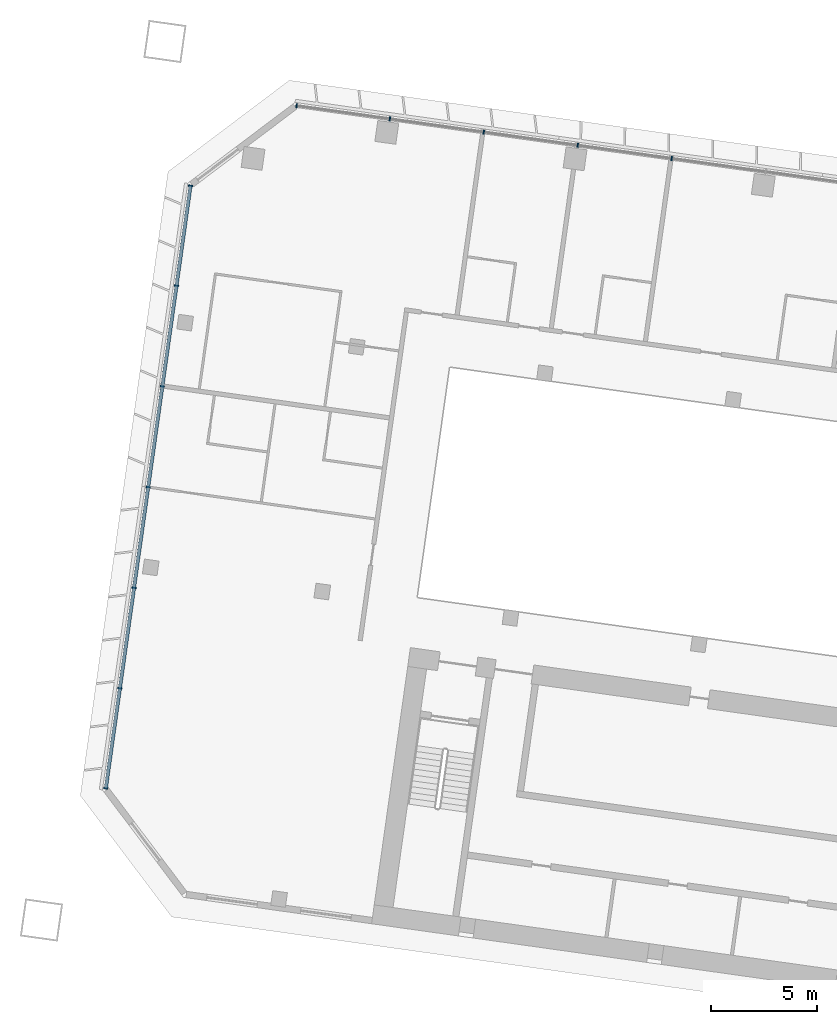
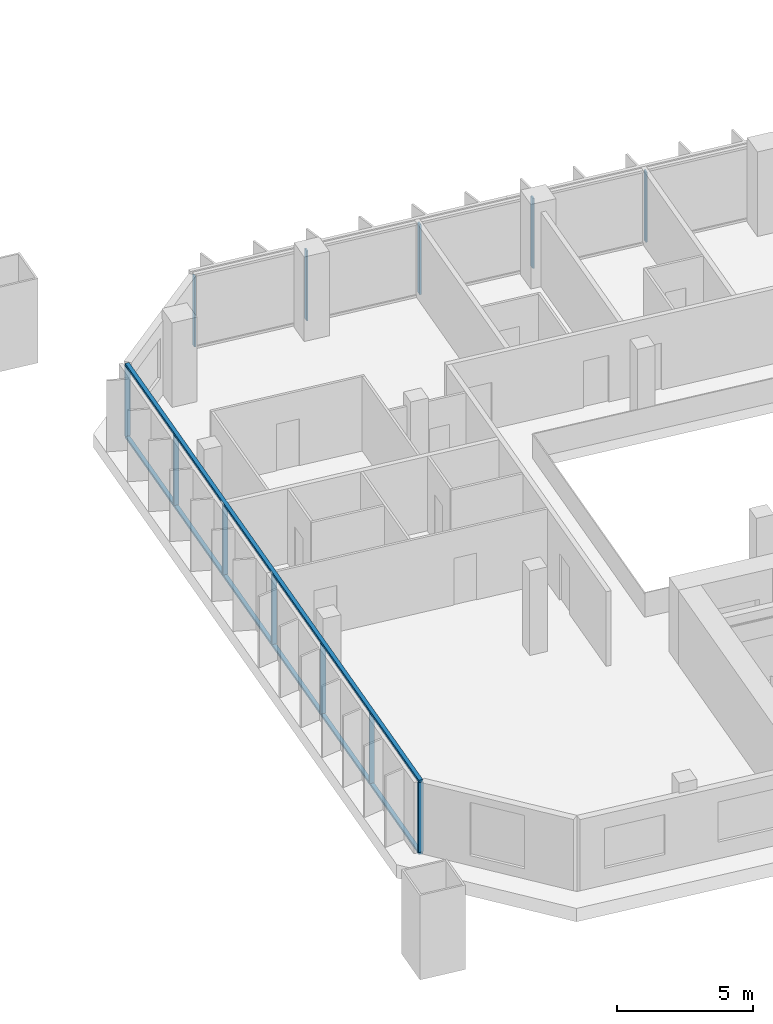
# One storey, part 2 of 24: 14 members, 2 elements without a shape of their own.
"""IFC4 building model written with IfcOpenShell, lengths in metres."""

from ifc_helpers import new_model, si_unit, direction, frame, origin, origin_2d, place, context, subcontext, project, spatial, rectangle, extrude, material, material_profile, profile_set, type_object, element, aggregate, save


model = new_model("IFC4")

# Units and contexts
model_context = context("Model", 3, precision=1e-05, world=origin(), true_north=direction((0.0, 1.0)))
body_context = subcontext(model_context, "Body", "Model", "MODEL_VIEW")
ifc_project = project(units=[si_unit("LENGTHUNIT", "METRE"), si_unit("AREAUNIT", "SQUARE_METRE"), si_unit("VOLUMEUNIT", "CUBIC_METRE"), si_unit("PLANEANGLEUNIT", "RADIAN"), si_unit("MASSUNIT", "GRAM", prefix="KILO")], contexts=[model_context])

# Site, building, storey
site_placement = place(None, origin())
site = spatial("IfcSite", under=ifc_project, at=site_placement, CompositionType="ELEMENT")
building_placement = place(site_placement, origin())
building = spatial("IfcBuilding", under=site, at=building_placement, Name="Mirante Cascada Hotel Towers", CompositionType="ELEMENT")
storey_placement = place(building_placement, frame((0.0, 0.0, 85.1)))
storey = spatial("IfcBuildingStorey", under=building, at=storey_placement, Name="L18", CompositionType="ELEMENT", Elevation=85.1)

# Curtain wall, members
ifc_material_1 = material(Name="Aluminium mullion and transom frame with clear laminated glass", Category="aluminium")
curtain_wall_type_1 = type_object("IfcCurtainWallType", Name="Ribbon curtain wall ECW1", PredefinedType="NOTDEFINED", material=ifc_material_1)
curtain_wall_1_placement = place(storey_placement, origin())
curtain_wall_1 = element("IfcCurtainWall", 1, at=curtain_wall_1_placement, inside=storey, type_object=curtain_wall_type_1, Name="Front ribbon wall T1 L18", PredefinedType="NOTDEFINED")
ifc_material_2 = material(Name="Anodised aluminium extrusion", Category="aluminium")
ifc_material_profile_1 = material_profile(ifc_material_2, rectangle(XDim=0.2, YDim=0.065, at=origin_2d()), Name="ECW1 MULLION 65x200")
ifc_profile_set_1 = profile_set([ifc_material_profile_1], Name="Anodised aluminium extrusion")
member_type_1 = type_object("IfcMemberType", Name="ECW1 mullion 65x200", PredefinedType="MULLION", material=ifc_profile_set_1)
member_1_placement = place(storey_placement, frame((-94.126, 26.0476, 0.1), z_axis=(0.0, 0.0, 1.0), x_axis=(0.1391731, 0.9902681, 0.0)))
member_1 = element("IfcMember", 2, at=member_1_placement, type_object=member_type_1, Name="ECW1 mullion 1", PredefinedType="MULLION", context=body_context, shape_type="SweptSolid", body=[
    extrude(rectangle(XDim=0.2, YDim=0.065, at=origin_2d()), origin(), (0.0, 0.0, 1.0), 3.15),
])
member_2_placement = place(storey_placement, frame((-89.7107, 25.427, 0.1), z_axis=(0.0, 0.0, 1.0), x_axis=(0.1391731, 0.9902681, 0.0)))
member_2 = element("IfcMember", 3, at=member_2_placement, type_object=member_type_1, Name="ECW1 mullion 2", PredefinedType="MULLION", context=body_context, shape_type="SweptSolid", body=[
    extrude(rectangle(XDim=0.2, YDim=0.065, at=origin_2d()), origin(), (0.0, 0.0, 1.0), 3.15),
])
member_3_placement = place(storey_placement, frame((-85.2633, 24.802, 0.1), z_axis=(0.0, 0.0, 1.0), x_axis=(0.1391731, 0.9902681, 0.0)))
member_3 = element("IfcMember", 4, at=member_3_placement, type_object=member_type_1, Name="ECW1 mullion 3", PredefinedType="MULLION", context=body_context, shape_type="SweptSolid", body=[
    extrude(rectangle(XDim=0.2, YDim=0.065, at=origin_2d()), origin(), (0.0, 0.0, 1.0), 3.15),
])
member_4_placement = place(storey_placement, frame((-80.8159, 24.177, 0.1), z_axis=(0.0, 0.0, 1.0), x_axis=(0.1391731, 0.9902681, 0.0)))
member_4 = element("IfcMember", 5, at=member_4_placement, type_object=member_type_1, Name="ECW1 mullion 4", PredefinedType="MULLION", context=body_context, shape_type="SweptSolid", body=[
    extrude(rectangle(XDim=0.2, YDim=0.065, at=origin_2d()), origin(), (0.0, 0.0, 1.0), 3.15),
])
member_5_placement = place(storey_placement, frame((-76.3685, 23.5519, 0.1), z_axis=(0.0, 0.0, 1.0), x_axis=(0.1391731, 0.9902681, 0.0)))
member_5 = element("IfcMember", 6, at=member_5_placement, type_object=member_type_1, Name="ECW1 mullion 5", PredefinedType="MULLION", context=body_context, shape_type="SweptSolid", body=[
    extrude(rectangle(XDim=0.2, YDim=0.065, at=origin_2d()), origin(), (0.0, 0.0, 1.0), 3.15),
])
aggregate(curtain_wall_1, [member_1, member_2, member_3, member_4, member_5])

ifc_material_3 = material(Name="Aluminium mullion and transom frame with clear laminated glass", Category="aluminium")
curtain_wall_type_2 = type_object("IfcCurtainWallType", Name="End ribbon curtain wall ECW2", PredefinedType="NOTDEFINED", material=ifc_material_3)
curtain_wall_2_placement = place(storey_placement, origin())
curtain_wall_2 = element("IfcCurtainWall", 7, at=curtain_wall_2_placement, inside=storey, type_object=curtain_wall_type_2, Name="Outer end wall T1 L18", PredefinedType="NOTDEFINED")
ifc_material_4 = material(Name="Anodised aluminium extrusion", Category="aluminium")
ifc_material_profile_2 = material_profile(ifc_material_4, rectangle(XDim=0.2, YDim=0.065, at=origin_2d()), Name="ECW2 MULLION 65x200")
ifc_profile_set_2 = profile_set([ifc_material_profile_2], Name="Anodised aluminium extrusion")
member_type_2 = type_object("IfcMemberType", Name="ECW2 mullion 65x200", PredefinedType="MULLION", material=ifc_profile_set_2)
member_6_placement = place(storey_placement, frame((-103.1556, -6.2656, 0.1), z_axis=(0.0, 0.0, 1.0), x_axis=(-0.9902681, 0.1391731, 0.0)))
member_6 = element("IfcMember", 8, at=member_6_placement, type_object=member_type_2, Name="ECW2 mullion 1", PredefinedType="MULLION", context=body_context, shape_type="SweptSolid", body=[
    extrude(rectangle(XDim=0.2, YDim=0.065, at=origin_2d()), origin(), (0.0, 0.0, 1.0), 3.15),
])
member_7_placement = place(storey_placement, frame((-102.4903, -1.532, 0.1), z_axis=(0.0, 0.0, 1.0), x_axis=(-0.9902681, 0.1391731, 0.0)))
member_7 = element("IfcMember", 9, at=member_7_placement, type_object=member_type_2, Name="ECW2 mullion 2", PredefinedType="MULLION", context=body_context, shape_type="SweptSolid", body=[
    extrude(rectangle(XDim=0.2, YDim=0.065, at=origin_2d()), origin(), (0.0, 0.0, 1.0), 3.15),
])
member_8_placement = place(storey_placement, frame((-101.8205, 3.2338, 0.1), z_axis=(0.0, 0.0, 1.0), x_axis=(-0.9902681, 0.1391731, 0.0)))
member_8 = element("IfcMember", 10, at=member_8_placement, type_object=member_type_2, Name="ECW2 mullion 3", PredefinedType="MULLION", context=body_context, shape_type="SweptSolid", body=[
    extrude(rectangle(XDim=0.2, YDim=0.065, at=origin_2d()), origin(), (0.0, 0.0, 1.0), 3.15),
])
member_9_placement = place(storey_placement, frame((-101.1508, 7.9996, 0.1), z_axis=(0.0, 0.0, 1.0), x_axis=(-0.9902681, 0.1391731, 0.0)))
member_9 = element("IfcMember", 11, at=member_9_placement, type_object=member_type_2, Name="ECW2 mullion 4", PredefinedType="MULLION", context=body_context, shape_type="SweptSolid", body=[
    extrude(rectangle(XDim=0.2, YDim=0.065, at=origin_2d()), origin(), (0.0, 0.0, 1.0), 3.15),
])
member_10_placement = place(storey_placement, frame((-100.481, 12.7654, 0.1), z_axis=(0.0, 0.0, 1.0), x_axis=(-0.9902681, 0.1391731, 0.0)))
member_10 = element("IfcMember", 12, at=member_10_placement, type_object=member_type_2, Name="ECW2 mullion 5", PredefinedType="MULLION", context=body_context, shape_type="SweptSolid", body=[
    extrude(rectangle(XDim=0.2, YDim=0.065, at=origin_2d()), origin(), (0.0, 0.0, 1.0), 3.15),
])
member_11_placement = place(storey_placement, frame((-99.8112, 17.5312, 0.1), z_axis=(0.0, 0.0, 1.0), x_axis=(-0.9902681, 0.1391731, 0.0)))
member_11 = element("IfcMember", 13, at=member_11_placement, type_object=member_type_2, Name="ECW2 mullion 6", PredefinedType="MULLION", context=body_context, shape_type="SweptSolid", body=[
    extrude(rectangle(XDim=0.2, YDim=0.065, at=origin_2d()), origin(), (0.0, 0.0, 1.0), 3.15),
])
member_12_placement = place(storey_placement, frame((-99.1459, 22.2648, 0.1), z_axis=(0.0, 0.0, 1.0), x_axis=(-0.9902681, 0.1391731, 0.0)))
member_12 = element("IfcMember", 14, at=member_12_placement, type_object=member_type_2, Name="ECW2 mullion 7", PredefinedType="MULLION", context=body_context, shape_type="SweptSolid", body=[
    extrude(rectangle(XDim=0.2, YDim=0.065, at=origin_2d()), origin(), (0.0, 0.0, 1.0), 3.15),
])
ifc_material_5 = material(Name="Anodised aluminium extrusion", Category="aluminium")
ifc_material_profile_3 = material_profile(ifc_material_5, rectangle(XDim=0.16, YDim=0.1, at=origin_2d()), Name="ECW2 TRANSOM 100x160")
ifc_profile_set_3 = profile_set([ifc_material_profile_3], Name="Anodised aluminium extrusion")
member_type_3 = type_object("IfcMemberType", Name="ECW2 transom 100x160", PredefinedType="USERDEFINED", material=ifc_profile_set_3)
member_13_placement = place(storey_placement, frame((-103.1601, -6.2978, 0.05), z_axis=(0.1391723, 0.9902682, 0.0), x_axis=(-0.9902682, 0.1391723, 0.0)))
member_13 = element("IfcMember", 15, at=member_13_placement, type_object=member_type_3, Name="ECW2 sill transom", ObjectType="TRANSOM", PredefinedType="USERDEFINED", context=body_context, shape_type="SweptSolid", body=[
    extrude(rectangle(XDim=0.16, YDim=0.1, at=origin_2d()), origin(), (0.0, 0.0, 1.0), 28.8757),
])
member_14_placement = place(storey_placement, frame((-103.1601, -6.2978, 3.3), z_axis=(0.1391723, 0.9902682, 0.0), x_axis=(-0.9902682, 0.1391723, 0.0)))
member_14 = element("IfcMember", 16, at=member_14_placement, type_object=member_type_3, Name="ECW2 head transom", ObjectType="TRANSOM", PredefinedType="USERDEFINED", context=body_context, shape_type="SweptSolid", body=[
    extrude(rectangle(XDim=0.16, YDim=0.1, at=origin_2d()), origin(), (0.0, 0.0, 1.0), 28.8757),
])
aggregate(curtain_wall_2, [member_13, member_14, member_6, member_7, member_8, member_9, member_10, member_11, member_12])

save(model, "model.ifc")
